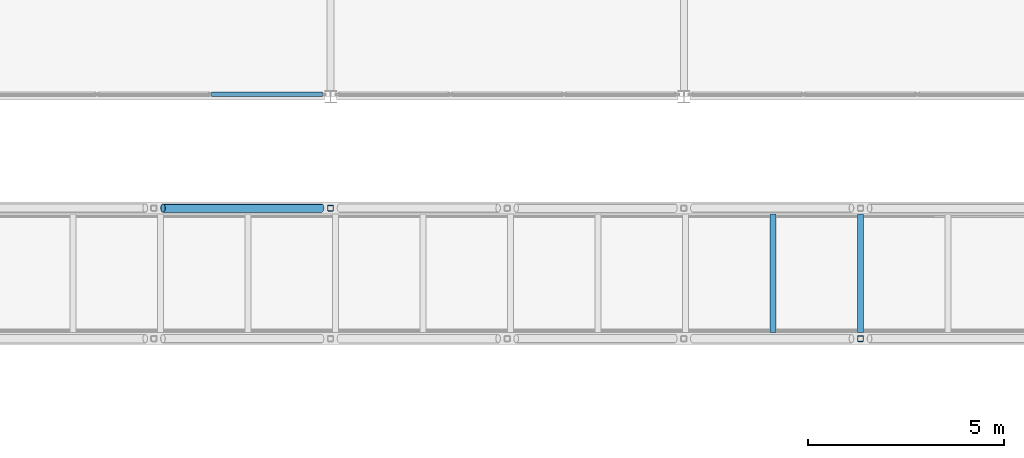
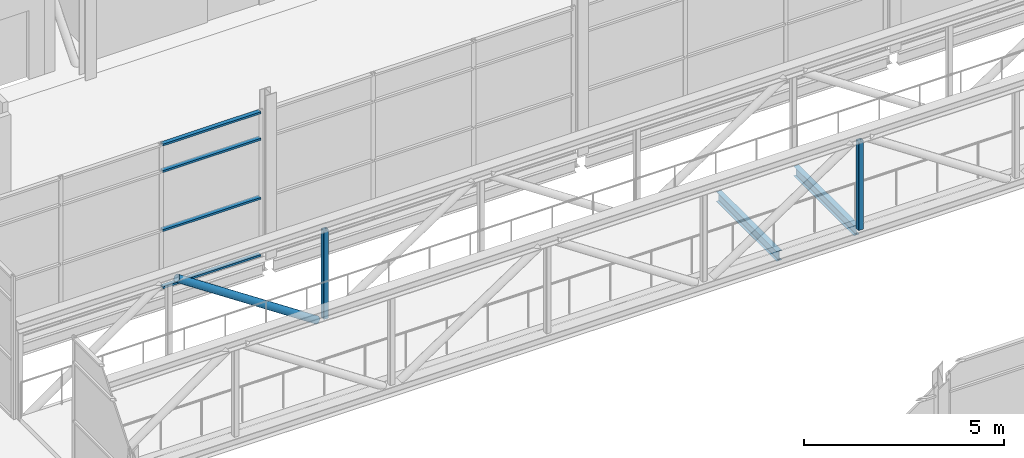
# One storey, part 27 of 94: 7 members, 2 beams, 1 element without a shape of its own.
"""IFC4 building model written with IfcOpenShell, lengths in metres."""

from ifc_helpers import new_model, si_unit, direction, frame, origin, origin_2d, place, context, subcontext, project, spatial, hollow_rectangle, hollow_circle, i_section, extrude, material, layer, layer_set, material_profile, profile_set, type_object, element, aggregate, save


model = new_model("IFC4")

# Units and contexts
model_context = context("Model", 3, precision=1e-05, world=origin(), true_north=direction((0.0, 1.0)))
body_context = subcontext(model_context, "Body", "Model", "MODEL_VIEW")
ifc_project = project(units=[si_unit("LENGTHUNIT", "METRE"), si_unit("AREAUNIT", "SQUARE_METRE"), si_unit("VOLUMEUNIT", "CUBIC_METRE"), si_unit("PLANEANGLEUNIT", "RADIAN"), si_unit("MASSUNIT", "GRAM", prefix="KILO")], contexts=[model_context])

# Site, building, storey
site_placement = place(None, origin())
site = spatial("IfcSite", under=ifc_project, at=site_placement, CompositionType="ELEMENT")
building_placement = place(site_placement, origin())
building = spatial("IfcBuilding", under=site, at=building_placement, Name="Shorebreak Coast Museum", CompositionType="ELEMENT")
storey_placement = place(building_placement, frame((0.0, 0.0, 31.0)))
storey = spatial("IfcBuildingStorey", under=building, at=storey_placement, Name="L05", CompositionType="ELEMENT", Elevation=31.0)

# Beams
ifc_material_1 = material(Name="Steel Grade 300", Category="steel")
ifc_material_profile_1 = material_profile(ifc_material_1, i_section(OverallWidth=0.14892578125, OverallDepth=0.298095703125, WebThickness=0.005615234375, FlangeThickness=0.008056640625, FilletRadius=0.012939453125, at=origin_2d()), Name="310UB32.0")
ifc_profile_set_1 = profile_set([ifc_material_profile_1], Name="Steel Grade 300")
beam_type = type_object("IfcBeamType", Name="Atrium bridge cross beam 310UB32.0", PredefinedType="BEAM", material=ifc_profile_set_1)
for number, where, z_axis, x_axis, name in (
    (1, (83.271484375, 74.989990234375, -0.323974609375), (0.0, 1.0, 0.0), (-1.0, 0.0, 0.0), "Atrium bridge cross beam BR3 10"),
    (2, (85.5, 74.989990234375, -0.323974609375), (0.0, 1.0, 0.0), (-1.0, 0.0, 0.0), "Atrium bridge cross beam BR3 11"),
):
    element("IfcBeam", number, at=place(storey_placement, frame(where, z_axis=z_axis, x_axis=x_axis)), inside=storey, type_object=beam_type, Name=name, PredefinedType="BEAM", context=body_context, shape_type="SweptSolid", body=[
        extrude(i_section(OverallWidth=0.14892578125, OverallDepth=0.298095703125, WebThickness=0.005615234375, FlangeThickness=0.008056640625, FilletRadius=0.012939453125, at=origin_2d()), origin(), (0.0, 0.0, 1.0), 3.02001953125),
    ])

# Members
ifc_material_2 = material(Name="Steel Grade C350L0", Category="steel")
ifc_material_profile_2 = material_profile(ifc_material_2, hollow_circle(Radius=0.109619140625, WallThickness=0.00830078125, at=origin_2d()), Name="219.1x8.2 CHS")
ifc_profile_set_2 = profile_set([ifc_material_profile_2], Name="Steel Grade C350L0")
member_type_1 = type_object("IfcMemberType", Name="Atrium bridge truss diagonal 219.1x8.2 CHS", PredefinedType="BRACE", material=ifc_profile_set_2)
member_1_placement = place(storey_placement, frame((71.76904296875, 78.16259765625, -0.175048828125), z_axis=(-0.832042555046, 0.0, 0.554711804987), x_axis=(0.0, -1.0, 0.0)))
element("IfcMember", 3, at=member_1_placement, inside=storey, type_object=member_type_1, Name="Atrium bridge truss BR3 side B diagonal D02", PredefinedType="BRACE", context=body_context, shape_type="SweptSolid", body=[
    extrude(hollow_circle(Radius=0.109619140625, WallThickness=0.00830078125, at=origin_2d()), origin(), (0.0, 0.0, 1.0), 4.853271484375),
])
ifc_material_3 = material(Name="Steel Grade C450L0", Category="steel")
ifc_material_profile_3 = material_profile(ifc_material_3, hollow_rectangle(XDim=0.14990234375, YDim=0.14990234375, WallThickness=0.009033203125, InnerFilletRadius=0.013427734375, OuterFilletRadius=0.0224609375, at=origin_2d()), Name="150x150x9.0 SHS")
ifc_profile_set_3 = profile_set([ifc_material_profile_3], Name="Steel Grade C450L0")
member_type_2 = type_object("IfcMemberType", Name="Atrium bridge truss strut 150x150x9.0 SHS", PredefinedType="STRUT", material=ifc_profile_set_3)
for number, where, z_axis, x_axis, name in (
    (4, (85.5, 74.83740234375, -0.175048828125), (0.0, 0.0, 1.0), (1.0, 0.0, 0.0), "Atrium bridge truss BR3 side A strut V06"),
    (5, (72.0, 78.16259765625, -0.175048828125), (0.0, 0.0, 1.0), (1.0, 0.0, 0.0), "Atrium bridge truss BR3 side B strut V03"),
):
    element("IfcMember", number, at=place(storey_placement, frame(where, z_axis=z_axis, x_axis=x_axis)), inside=storey, type_object=member_type_2, Name=name, PredefinedType="STRUT", context=body_context, shape_type="SweptSolid", body=[
        extrude(hollow_rectangle(XDim=0.14990234375, YDim=0.14990234375, WallThickness=0.009033203125, InnerFilletRadius=0.013427734375, OuterFilletRadius=0.0224609375, at=origin_2d()), origin(), (0.0, 0.0, 1.0), 2.692138671875),
    ])

# Curtain wall, members
ifc_material_4 = material(Name="Aluminium", Category="aluminium")
ifc_layer = layer(ifc_material_4, 0.1201171875)
ifc_layer_set = layer_set([ifc_layer], Name="Aluminium")
curtain_wall_type = type_object("IfcCurtainWallType", Name="Atrium fire screen", PredefinedType="NOTDEFINED", material=ifc_layer_set)
curtain_wall_placement = place(storey_placement, origin())
curtain_wall = element("IfcCurtainWall", 6, at=curtain_wall_placement, inside=storey, type_object=curtain_wall_type, Name="Atrium screen L05 N 68", PredefinedType="NOTDEFINED")
ifc_material_5 = material(Name="Aluminium", Category="aluminium")
ifc_material_profile_4 = material_profile(ifc_material_5, hollow_rectangle(XDim=0.1201171875, YDim=0.06005859375, WallThickness=0.00341796875, at=origin_2d()), Name="AL 60x120 RHS")
ifc_profile_set_4 = profile_set([ifc_material_profile_4], Name="Aluminium")
member_type_3 = type_object("IfcMemberType", Name="Screen transom 120 x 50", PredefinedType="USERDEFINED", material=ifc_profile_set_4)
member_2_placement = place(storey_placement, frame((68.973876953125, 81.06005859375, 0.06005859375), z_axis=(1.0, 0.0, 0.0), x_axis=(0.0, 1.0, 0.0)))
member_2 = element("IfcMember", 7, at=member_2_placement, type_object=member_type_3, Name="CW6 transom 3.1", ObjectType="TRANSOM", PredefinedType="USERDEFINED", context=body_context, shape_type="SweptSolid", body=[
    extrude(hollow_rectangle(XDim=0.1201171875, YDim=0.06005859375, WallThickness=0.00341796875, at=origin_2d()), origin(), (0.0, 0.0, 1.0), 2.822509765625),
])
member_3_placement = place(storey_placement, frame((68.973876953125, 81.06005859375, 1.800048828125), z_axis=(1.0, 0.0, 0.0), x_axis=(0.0, 1.0, 0.0)))
member_3 = element("IfcMember", 8, at=member_3_placement, type_object=member_type_3, Name="CW6 transom 3.2", ObjectType="TRANSOM", PredefinedType="USERDEFINED", context=body_context, shape_type="SweptSolid", body=[
    extrude(hollow_rectangle(XDim=0.1201171875, YDim=0.06005859375, WallThickness=0.00341796875, at=origin_2d()), origin(), (0.0, 0.0, 1.0), 2.822509765625),
])
member_4_placement = place(storey_placement, frame((68.973876953125, 81.06005859375, 3.60009765625), z_axis=(1.0, 0.0, 0.0), x_axis=(0.0, 1.0, 0.0)))
member_4 = element("IfcMember", 9, at=member_4_placement, type_object=member_type_3, Name="CW6 transom 3.3", ObjectType="TRANSOM", PredefinedType="USERDEFINED", context=body_context, shape_type="SweptSolid", body=[
    extrude(hollow_rectangle(XDim=0.1201171875, YDim=0.06005859375, WallThickness=0.00341796875, at=origin_2d()), origin(), (0.0, 0.0, 1.0), 2.822509765625),
])
member_5_placement = place(storey_placement, frame((68.973876953125, 81.06005859375, 4.409423828125), z_axis=(1.0, 0.0, 0.0), x_axis=(0.0, 1.0, 0.0)))
member_5 = element("IfcMember", 10, at=member_5_placement, type_object=member_type_3, Name="CW6 transom 3.4", ObjectType="TRANSOM", PredefinedType="USERDEFINED", context=body_context, shape_type="SweptSolid", body=[
    extrude(hollow_rectangle(XDim=0.1201171875, YDim=0.06005859375, WallThickness=0.00341796875, at=origin_2d()), origin(), (0.0, 0.0, 1.0), 2.822509765625),
])
aggregate(curtain_wall, [member_2, member_3, member_4, member_5])

save(model, "model.ifc")
